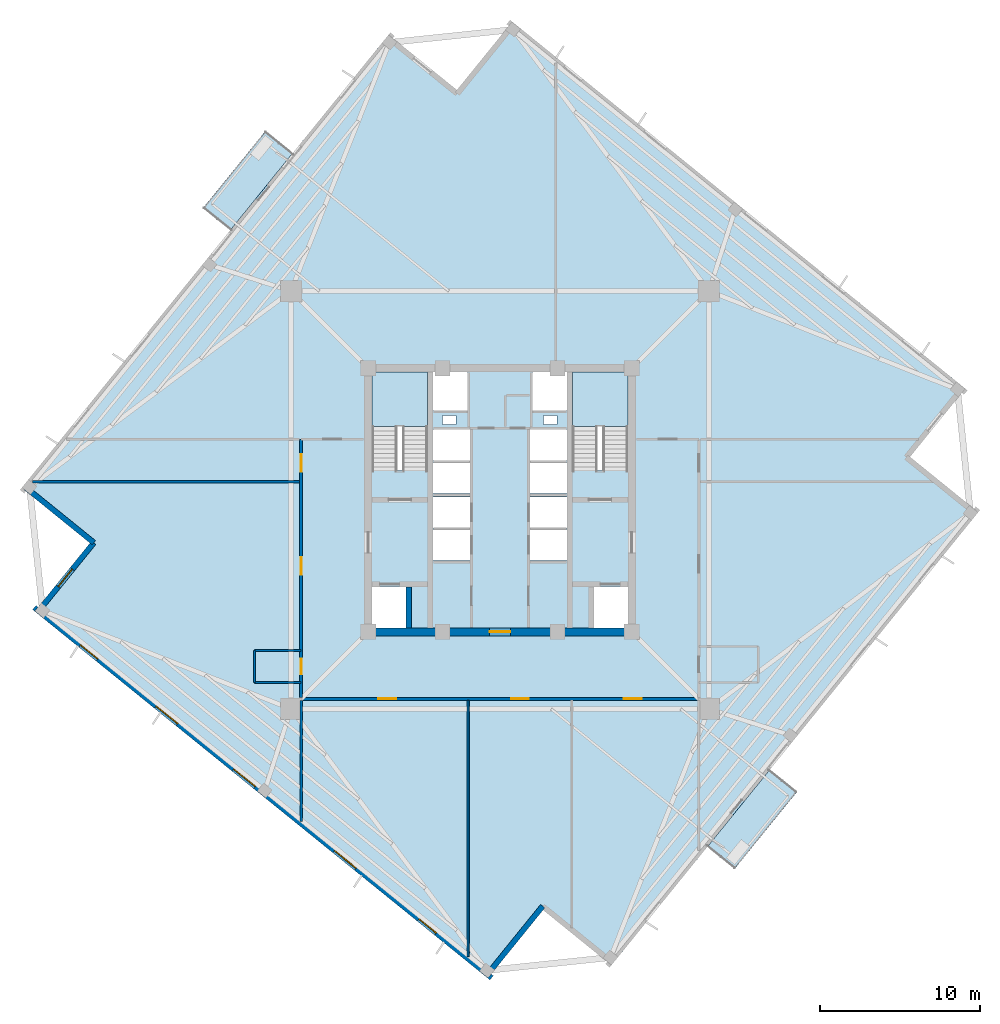
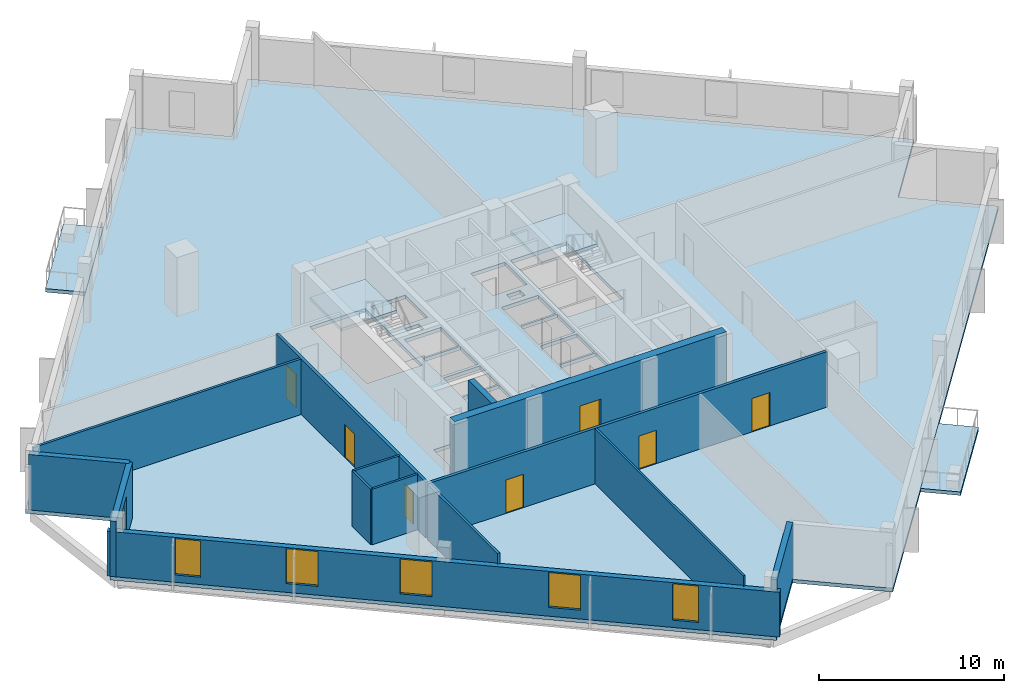
# One storey, part 2 of 9: 14 walls, 7 doors, 6 windows, 5 slabs, 13 openings, 2 elements without a shape of their own.
"""IFC4 building model written with IfcOpenShell, lengths in metres."""

from ifc_helpers import new_model, si_unit, direction, frame, frame_2d, origin, place, context, subcontext, project, spatial, polyline, rectangle, outline, extrude, source, transform, mapped, material, layer, layer_set, type_object, element, fill, aggregate, save


model = new_model("IFC4")

# Units and contexts
model_context = context("Model", 3, precision=1e-05, world=origin(), true_north=direction((0.0, 1.0)))
body_context = subcontext(model_context, "Body", "Model", "MODEL_VIEW")
ifc_project = project(units=[si_unit("LENGTHUNIT", "METRE"), si_unit("AREAUNIT", "SQUARE_METRE"), si_unit("VOLUMEUNIT", "CUBIC_METRE"), si_unit("PLANEANGLEUNIT", "RADIAN"), si_unit("MASSUNIT", "GRAM", prefix="KILO"), si_unit("THERMODYNAMICTEMPERATUREUNIT", "KELVIN")], contexts=[model_context])

# Site, building, storey
site_placement = place(None, origin())
site = spatial("IfcSite", under=ifc_project, at=site_placement, CompositionType="ELEMENT")
building_placement = place(site_placement, origin())
building = spatial("IfcBuilding", under=site, at=building_placement, Name="Kosmvard Interchange Tower", CompositionType="ELEMENT")
storey_placement = place(building_placement, frame((0.0, 0.0, 225.10009765625)))
storey = spatial("IfcBuildingStorey", under=building, at=storey_placement, Name="L54", CompositionType="ELEMENT", Elevation=225.10009765625)

# Slab
ifc_material_1 = material(Name="Concrete C50/60", Category="concrete")
ifc_layer_1 = layer(ifc_material_1, 0.239990234375, Name="Concrete C50/60")
ifc_layer_set_1 = layer_set([ifc_layer_1], Name="Concrete C50/60")
slab_type_1 = type_object("IfcSlabType", Name="High-Rise Suite Composite Slab 240 C50/60", PredefinedType="FLOOR", material=ifc_layer_set_1)
slab_1_placement = place(storey_placement, frame((0.0, 0.0, -0.239990234375)))
element("IfcSlab", 1, at=slab_1_placement, inside=storey, type_object=slab_type_1, Name="L54 Structural Floor Slab", PredefinedType="FLOOR", context=body_context, shape_type="SweptSolid", body=[
    extrude(outline(polyline([(6.97216796875, -29.12939453125), (29.9423828125, -0.763427734375), (25.66796875, 2.69775390625), (29.12939453125, 6.97216796875), (0.763427734375, 29.9423828125), (-2.69775390625, 25.66796875), (-6.97216796875, 29.12939453125), (-29.9423828125, 0.763427734375), (-25.66796875, -2.69775390625), (-29.12939453125, -6.97216796875), (-0.763427734375, -29.9423828125), (2.69775390625, -25.66796875), (6.97216796875, -29.12939453125)]), holes=[polyline([(-8.0, 1.8349609375), (-4.5400390625, 1.8349609375), (-4.5400390625, 8.0), (-8.0, 8.0), (-8.0, 1.8349609375)]), polyline([(4.5400390625, 1.8349609375), (8.0, 1.8349609375), (8.0, 8.0), (4.5400390625, 8.0), (4.5400390625, 1.8349609375)]), polyline([(-8.0, -8.0), (-5.800048828125, -8.0), (-5.800048828125, -5.39990234375), (-8.0, -5.39990234375), (-8.0, -8.0)]), polyline([(5.800048828125, -8.0), (8.0, -8.0), (8.0, -5.39990234375), (5.800048828125, -5.39990234375), (5.800048828125, -8.0)]), polyline([(-4.179931640625, -3.800048828125), (-1.8798828125, -3.800048828125), (-1.8798828125, -1.860107421875), (-4.179931640625, -1.860107421875), (-4.179931640625, -3.800048828125)]), polyline([(-4.179931640625, -1.739990234375), (-1.8798828125, -1.739990234375), (-1.8798828125, 0.199951171875), (-4.179931640625, 0.199951171875), (-4.179931640625, -1.739990234375)]), polyline([(1.8798828125, -3.800048828125), (4.179931640625, -3.800048828125), (4.179931640625, -1.860107421875), (1.8798828125, -1.860107421875), (1.8798828125, -3.800048828125)]), polyline([(1.8798828125, -1.739990234375), (4.179931640625, -1.739990234375), (4.179931640625, 0.199951171875), (1.8798828125, 0.199951171875), (1.8798828125, -1.739990234375)]), polyline([(-4.179931640625, 0.39990234375), (-1.8798828125, 0.39990234375), (-1.8798828125, 2.340087890625), (-4.179931640625, 2.340087890625), (-4.179931640625, 0.39990234375)]), polyline([(-4.179931640625, 2.4599609375), (-1.8798828125, 2.4599609375), (-1.8798828125, 4.39990234375), (-4.179931640625, 4.39990234375), (-4.179931640625, 2.4599609375)]), polyline([(1.8798828125, 0.39990234375), (4.179931640625, 0.39990234375), (4.179931640625, 2.340087890625), (1.8798828125, 2.340087890625), (1.8798828125, 0.39990234375)]), polyline([(1.8798828125, 2.4599609375), (4.179931640625, 2.4599609375), (4.179931640625, 4.39990234375), (1.8798828125, 4.39990234375), (1.8798828125, 2.4599609375)]), polyline([(-4.179931640625, 5.60009765625), (-2.0400390625, 5.60009765625), (-2.0400390625, 8.0), (-4.179931640625, 8.0), (-4.179931640625, 5.60009765625)]), polyline([(2.0400390625, 5.60009765625), (4.179931640625, 5.60009765625), (4.179931640625, 8.0), (2.0400390625, 8.0), (2.0400390625, 5.60009765625)]), polyline([(-3.614990234375, 4.739990234375), (-2.764892578125, 4.739990234375), (-2.764892578125, 5.2900390625), (-3.614990234375, 5.2900390625), (-3.614990234375, 4.739990234375)]), polyline([(2.715087890625, 4.739990234375), (3.56494140625, 4.739990234375), (3.56494140625, 5.2900390625), (2.715087890625, 5.2900390625), (2.715087890625, 4.739990234375)])]), origin(), (0.0, 0.0, 1.0), 0.239990234375),
])

# Stair, slab
stair_type = type_object("IfcStairType", Name="Dog-Leg Core Exit Stair H3900 C50/60", PredefinedType="HALF_TURN_STAIR", material=ifc_material_1)
stair_1_placement = place(storey_placement, origin())
stair_1 = element("IfcStair", 2, at=stair_1_placement, inside=storey, type_object=stair_type, Name="L54 Protected Exit Stair ST-1", PredefinedType="HALF_TURN_STAIR")
ifc_layer_2 = layer(ifc_material_1, 0.199951171875, Name="Concrete C50/60")
ifc_layer_set_2 = layer_set([ifc_layer_2], Name="Concrete C50/60")
slab_type_2 = type_object("IfcSlabType", Name="Stair Half-Landing Slab 200 C50/60", PredefinedType="LANDING", material=ifc_layer_set_2)
slab_2_placement = place(storey_placement, frame((0.0, 0.0, 1.75)))
slab_2 = element("IfcSlab", 3, at=slab_2_placement, type_object=slab_type_2, Name="ST-1 landing 1", PredefinedType="LANDING", context=body_context, shape_type="SweptSolid", body=[
    extrude(outline(polyline([(-4.5400390625, 4.60009765625), (-4.5400390625, 8.0), (-8.0, 8.0), (-8.0, 4.60009765625), (-4.5400390625, 4.60009765625)])), origin(), (0.0, 0.0, 1.0), 0.199951171875),
])
aggregate(stair_1, [slab_2])

stair_2_placement = place(storey_placement, origin())
stair_2 = element("IfcStair", 4, at=stair_2_placement, inside=storey, type_object=stair_type, Name="L54 Protected Exit Stair ST-2", PredefinedType="HALF_TURN_STAIR")
slab_3_placement = place(storey_placement, frame((0.0, 0.0, 1.75)))
slab_3 = element("IfcSlab", 5, at=slab_3_placement, type_object=slab_type_2, Name="ST-2 landing 1", PredefinedType="LANDING", context=body_context, shape_type="SweptSolid", body=[
    extrude(outline(polyline([(8.0, 4.60009765625), (8.0, 8.0), (4.5400390625, 8.0), (4.5400390625, 4.60009765625), (8.0, 4.60009765625)])), origin(), (0.0, 0.0, 1.0), 0.199951171875),
])
aggregate(stair_2, [slab_3])

# Slabs
ifc_layer_3 = layer(ifc_material_1, 0.22998046875, Name="Concrete C50/60")
ifc_layer_set_3 = layer_set([ifc_layer_3], Name="Concrete C50/60")
slab_type_3 = type_object("IfcSlabType", Name="Tree-Planter Cantilever Balcony Slab 230 C50/60", PredefinedType="FLOOR", material=ifc_layer_set_3)
slab_4_placement = place(storey_placement, frame((0.0, 0.0, -0.22998046875)))
element("IfcSlab", 6, at=slab_4_placement, inside=storey, type_object=slab_type_3, Name="L54 Outdoor Terrace Balcony Slab BAL-L54-N", PredefinedType="FLOOR", context=body_context, shape_type="SweptSolid", body=[
    extrude(outline(polyline([(-16.884033203125, 16.88916015625), (-12.982177734375, 21.70751953125), (-14.69189453125, 23.092041015625), (-18.59375, 18.273681640625), (-16.884033203125, 16.88916015625)])), origin(), (0.0, 0.0, 1.0), 0.22998046875),
])
slab_5_placement = place(storey_placement, frame((0.0, 0.0, -0.22998046875)))
element("IfcSlab", 7, at=slab_5_placement, inside=storey, type_object=slab_type_3, Name="L54 Outdoor Terrace Balcony Slab BAL-L54-S", PredefinedType="FLOOR", context=body_context, shape_type="SweptSolid", body=[
    extrude(outline(polyline([(14.69189453125, -23.092041015625), (18.59375, -18.273681640625), (16.884033203125, -16.88916015625), (12.982177734375, -21.70751953125), (14.69189453125, -23.092041015625)])), origin(), (0.0, 0.0, 1.0), 0.22998046875),
])

# Walls
ifc_material_2 = material(Name="Acoustic gypsum partition system")
ifc_layer_4 = layer(ifc_material_2, 0.14990234375, Name="Acoustic gypsum partition system")
ifc_layer_set_4 = layer_set([ifc_layer_4], Name="Acoustic gypsum partition system")
wall_type_1 = type_object("IfcWallType", Name="Acoustic Suite & Meeting Partition 150", PredefinedType="PARTITIONING", material=ifc_layer_set_4)
wall_1_placement = place(storey_placement, frame((-29.275390625, 1.14990234375, 0.0), z_axis=(0.0, 0.0, 1.0), x_axis=(1.0, 0.0, 0.0)))
element("IfcWall", 8, at=wall_1_placement, inside=storey, type_object=wall_type_1, Name="L54 Room Partition 02.1", PredefinedType="PARTITIONING", context=body_context, shape_type="SweptSolid", body=[
    extrude(rectangle(XDim=16.73046875, YDim=0.14990234375, at=frame_2d((8.365234375, 0.0))), origin(), (0.0, 0.0, 1.0), 3.659912109375),
])
wall_2_placement = place(storey_placement, frame((-12.449951171875, -20.124755859375, 0.0), z_axis=(0.0, 0.0, 1.0), x_axis=(0.0, 1.0, 0.0)))
element("IfcWall", 9, at=wall_2_placement, inside=storey, type_object=wall_type_1, Name="L54 Room Partition 06.1", PredefinedType="PARTITIONING", context=body_context, shape_type="SweptSolid", body=[
    extrude(rectangle(XDim=7.579833984375, YDim=0.14990234375, at=frame_2d((3.7900390625, 0.0))), origin(), (0.0, 0.0, 1.0), 3.659912109375),
])

# Wall, openings, doors
ifc_material_3 = material(Name="Fire-rated gypsum partition system")
ifc_layer_5 = layer(ifc_material_3, 0.179931640625, Name="Fire-rated gypsum partition system")
ifc_layer_set_5 = layer_set([ifc_layer_5], Name="Fire-rated gypsum partition system")
wall_type_2 = type_object("IfcWallType", Name="Corridor & Hotel Compartment Partition 180", PredefinedType="PARTITIONING", material=ifc_layer_set_5)
wall_3_placement = place(storey_placement, frame((-12.449951171875, -12.449951171875, 0.0), z_axis=(0.0, 0.0, 1.0), x_axis=(1.0, 0.0, 0.0)))
wall_3 = element("IfcWall", 10, at=wall_3_placement, inside=storey, type_object=wall_type_2, Name="L54 Corridor Wall CS", PredefinedType="PARTITIONING", context=body_context, shape_type="SweptSolid", body=[
    extrude(rectangle(XDim=24.89990234375, YDim=0.179931640625, at=frame_2d((12.449951171875, 0.0))), origin(), (0.0, 0.0, 1.0), 3.659912109375),
])
opening_1_placement = place(wall_3_placement, frame((4.83935546875, 0.0, 0.0)))
opening_1 = element("IfcOpeningElement", 11, at=opening_1_placement, cuts=wall_3, Name="Opening L54-D08", PredefinedType="OPENING", context=body_context, shape_type="SweptSolid", body=[
    extrude(rectangle(XDim=1.10009765625, YDim=2.199951171875, at=frame_2d((0.550048828125, 1.10009765625))), frame((0.0, 0.10009765625, 0.0), z_axis=(0.0, -1.0, 0.0), x_axis=(1.0, 0.0, 0.0)), (0.0, 0.0, 1.0), 0.199951171875),
])
opening_2_placement = place(wall_3_placement, frame((13.14990234375, 0.0, 0.0)))
opening_2 = element("IfcOpeningElement", 12, at=opening_2_placement, cuts=wall_3, Name="Opening L54-D09", PredefinedType="OPENING", context=body_context, shape_type="SweptSolid", body=[
    extrude(rectangle(XDim=1.10009765625, YDim=2.199951171875, at=frame_2d((0.550048828125, 1.10009765625))), frame((0.0, 0.10009765625, 0.0), z_axis=(0.0, -1.0, 0.0), x_axis=(1.0, 0.0, 0.0)), (0.0, 0.0, 1.0), 0.199951171875),
])
opening_3_placement = place(wall_3_placement, frame((20.21044921875, 0.0, 0.0)))
opening_3 = element("IfcOpeningElement", 13, at=opening_3_placement, cuts=wall_3, Name="Opening L54-D10", PredefinedType="OPENING", context=body_context, shape_type="SweptSolid", body=[
    extrude(rectangle(XDim=1.10009765625, YDim=2.199951171875, at=frame_2d((0.550048828125, 1.10009765625))), frame((0.0, 0.10009765625, 0.0), z_axis=(0.0, -1.0, 0.0), x_axis=(1.0, 0.0, 0.0)), (0.0, 0.0, 1.0), 0.199951171875),
])
ifc_material_4 = material(Name="Engineered oak fire-rated timber", Category="wood")
door_type_1 = type_object("IfcDoorType", Name="Office Suite Entrance Door 1100x2200 FD30S", OperationType="NOTDEFINED", PredefinedType="DOOR", material=ifc_material_4)
shared_shape_1 = source(origin(), body_context, "Body", "SweptSolid", [
    extrude(rectangle(XDim=1.10009765625, YDim=2.199951171875, at=frame_2d((0.550048828125, 1.10009765625))), frame((0.0, 0.02490234375, 0.0), z_axis=(0.0, -1.0, 0.0), x_axis=(1.0, 0.0, 0.0)), (0.0, 0.0, 1.0), 0.050048828125),
])
door_1_placement = place(opening_1_placement, frame((1.10009765625, 0.0, 0.0), z_axis=(0.0, 0.0, 1.0), x_axis=(-1.0, 0.0, 0.0)))
door_1 = element("IfcDoor", 14, at=door_1_placement, inside=storey, type_object=door_type_1, Name="L54 Mediation Chamber 3 Door", OperationType="SINGLE_SWING_RIGHT", OverallHeight=2.199951171875, OverallWidth=1.10009765625, PredefinedType="DOOR", context=body_context, shape_type="MappedRepresentation", body=[
    mapped(shared_shape_1, transform((0.0, 0.0, 0.0), scale=1.0)),
])
fill(opening_1, door_1)
door_2_placement = place(opening_2_placement, frame((1.10009765625, 0.0, 0.0), z_axis=(0.0, 0.0, 1.0), x_axis=(-1.0, 0.0, 0.0)))
door_2 = element("IfcDoor", 15, at=door_2_placement, inside=storey, type_object=door_type_1, Name="L54 Arbitration Chamber 4 Door", OperationType="SINGLE_SWING_LEFT", OverallHeight=2.199951171875, OverallWidth=1.10009765625, PredefinedType="DOOR", context=body_context, shape_type="MappedRepresentation", body=[
    mapped(shared_shape_1, transform((0.0, 0.0, 0.0), scale=1.0)),
])
fill(opening_2, door_2)
door_3_placement = place(opening_3_placement, frame((1.10009765625, 0.0, 0.0), z_axis=(0.0, 0.0, 1.0), x_axis=(-1.0, 0.0, 0.0)))
door_3 = element("IfcDoor", 16, at=door_3_placement, inside=storey, type_object=door_type_1, Name="L54 Chambers Pantry Door", OperationType="SINGLE_SWING_RIGHT", OverallHeight=2.199951171875, OverallWidth=1.10009765625, PredefinedType="DOOR", context=body_context, shape_type="MappedRepresentation", body=[
    mapped(shared_shape_1, transform((0.0, 0.0, 0.0), scale=1.0)),
])
fill(opening_3, door_3)

wall_4_placement = place(storey_placement, frame((-12.449951171875, -12.35009765625, 0.0), z_axis=(0.0, 0.0, 1.0), x_axis=(0.0, 1.0, 0.0)))
wall_4 = element("IfcWall", 17, at=wall_4_placement, inside=storey, type_object=wall_type_2, Name="L54 Corridor Wall CW", PredefinedType="PARTITIONING", context=body_context, shape_type="SweptSolid", body=[
    extrude(rectangle(XDim=16.150146484375, YDim=0.179931640625, at=frame_2d((8.0751953125, 0.0))), origin(), (0.0, 0.0, 1.0), 3.659912109375),
])
opening_4_placement = place(wall_4_placement, frame((1.455078125, 0.0, 0.0)))
opening_4 = element("IfcOpeningElement", 18, at=opening_4_placement, cuts=wall_4, Name="Opening L54-D01", PredefinedType="OPENING", context=body_context, shape_type="SweptSolid", body=[
    extrude(rectangle(XDim=0.949951171875, YDim=2.10009765625, at=frame_2d((0.47509765625, 1.050048828125))), frame((0.0, 0.10009765625, 0.0), z_axis=(0.0, -1.0, 0.0), x_axis=(1.0, 0.0, 0.0)), (0.0, 0.0, 1.0), 0.199951171875),
])
opening_5_placement = place(wall_4_placement, frame((14.110595703125, 0.0, 0.0)))
opening_5 = element("IfcOpeningElement", 19, at=opening_5_placement, cuts=wall_4, Name="Opening L54-D03", PredefinedType="OPENING", context=body_context, shape_type="SweptSolid", body=[
    extrude(rectangle(XDim=1.10009765625, YDim=2.199951171875, at=frame_2d((0.550048828125, 1.10009765625))), frame((0.0, 0.10009765625, 0.0), z_axis=(0.0, -1.0, 0.0), x_axis=(1.0, 0.0, 0.0)), (0.0, 0.0, 1.0), 0.199951171875),
])
opening_6_placement = place(wall_4_placement, frame((7.658935546875, 0.0, 0.0)))
opening_6 = element("IfcOpeningElement", 20, at=opening_6_placement, cuts=wall_4, Name="Opening L54-D07", PredefinedType="OPENING", context=body_context, shape_type="SweptSolid", body=[
    extrude(rectangle(XDim=1.10009765625, YDim=2.199951171875, at=frame_2d((0.550048828125, 1.10009765625))), frame((0.0, 0.10009765625, 0.0), z_axis=(0.0, -1.0, 0.0), x_axis=(1.0, 0.0, 0.0)), (0.0, 0.0, 1.0), 0.199951171875),
])
ifc_material_5 = material(Name="Laminated moisture-resistant timber", Category="wood")
door_type_2 = type_object("IfcDoorType", Name="Accessible Washroom Door 950x2100", OperationType="NOTDEFINED", PredefinedType="DOOR", material=ifc_material_5)
shared_shape_2 = source(origin(), body_context, "Body", "SweptSolid", [
    extrude(rectangle(XDim=0.949951171875, YDim=2.10009765625, at=frame_2d((0.47509765625, 1.050048828125))), frame((0.0, 0.02490234375, 0.0), z_axis=(0.0, -1.0, 0.0), x_axis=(1.0, 0.0, 0.0)), (0.0, 0.0, 1.0), 0.050048828125),
])
door_4_placement = place(opening_4_placement, origin())
door_4 = element("IfcDoor", 21, at=door_4_placement, inside=storey, type_object=door_type_2, Name="L54 Accessible Toilet Door", OperationType="SINGLE_SWING_LEFT", OverallHeight=2.10009765625, OverallWidth=0.949951171875, PredefinedType="DOOR", context=body_context, shape_type="MappedRepresentation", body=[
    mapped(shared_shape_2, transform((0.0, 0.0, 0.0), scale=1.0)),
])
fill(opening_4, door_4)
door_5_placement = place(opening_5_placement, origin())
door_5 = element("IfcDoor", 22, at=door_5_placement, inside=storey, type_object=door_type_1, Name="L54 West Caucus Chamber 1 Door", OperationType="SINGLE_SWING_LEFT", OverallHeight=2.199951171875, OverallWidth=1.10009765625, PredefinedType="DOOR", context=body_context, shape_type="MappedRepresentation", body=[
    mapped(shared_shape_1, transform((0.0, 0.0, 0.0), scale=1.0)),
])
fill(opening_5, door_5)
door_6_placement = place(opening_6_placement, origin())
door_6 = element("IfcDoor", 23, at=door_6_placement, inside=storey, type_object=door_type_1, Name="L54 South-West Open Legal Studio Door", OperationType="SINGLE_SWING_LEFT", OverallHeight=2.199951171875, OverallWidth=1.10009765625, PredefinedType="DOOR", context=body_context, shape_type="MappedRepresentation", body=[
    mapped(shared_shape_1, transform((0.0, 0.0, 0.0), scale=1.0)),
])
fill(opening_6, door_6)

# Wall
ifc_material_6 = material(Name="Precast concrete C45/55", Category="concrete")
ifc_layer_6 = layer(ifc_material_6, 0.340087890625, Name="Precast concrete C45/55")
ifc_layer_set_6 = layer_set([ifc_layer_6], Name="Precast concrete C45/55")
wall_type_3 = type_object("IfcWallType", Name="Mid Tower Precast Pier Wall 340 C45/55", PredefinedType="STANDARD", material=ifc_layer_set_6)
wall_5_placement = place(storey_placement, frame((-29.703125, 0.78857421875, 0.0), z_axis=(0.0, 0.0, 1.0), x_axis=(0.77714355312, -0.629323365087, 0.0)))
element("IfcWall", 24, at=wall_5_placement, inside=storey, type_object=wall_type_3, Name="L54 Precast Facade Wall N-NW1", PredefinedType="STANDARD", context=body_context, shape_type="SweptSolid", body=[
    extrude(rectangle(XDim=5.499755859375, YDim=0.340087890625, at=frame_2d((2.75, 0.0))), origin(), (0.0, 0.0, 1.0), 3.659912109375),
])

# Wall, opening, window
wall_6_placement = place(storey_placement, frame((-25.428955078125, -2.672607421875, 0.0), z_axis=(0.0, 0.0, 1.0), x_axis=(-0.629299794138, -0.777162640055, 0.0)))
wall_6 = element("IfcWall", 25, at=wall_6_placement, inside=storey, type_object=wall_type_3, Name="L54 Precast Facade Wall N-NW2", PredefinedType="STANDARD", context=body_context, shape_type="SweptSolid", body=[
    extrude(rectangle(XDim=5.669921875, YDim=0.340087890625, at=frame_2d((2.8349609375, 0.0))), origin(), (0.0, 0.0, 1.0), 3.659912109375),
])
opening_7_placement = place(wall_6_placement, frame((2.135009765625, 0.0, 0.47998046875)))
opening_7 = element("IfcOpeningElement", 26, at=opening_7_placement, cuts=wall_6, Name="Opening L54-W22", PredefinedType="OPENING", context=body_context, shape_type="SweptSolid", body=[
    extrude(rectangle(XDim=1.39990234375, YDim=2.39990234375, at=frame_2d((0.699951171875, 1.199951171875))), frame((0.0, 0.18017578125, 0.0), z_axis=(0.0, -1.0, 0.0), x_axis=(1.0, 0.0, 0.0)), (0.0, 0.0, 1.0), 0.360107421875),
])
ifc_material_7 = material(Name="Low-E solar-control double glazing", Category="glass")
window_type_1 = type_object("IfcWindowType", Name="Notched Corner Feature Window 1400x2400", PartitioningType="SINGLE_PANEL", PredefinedType="WINDOW", material=ifc_material_7)
shared_shape_3 = source(origin(), body_context, "Body", "SweptSolid", [
    extrude(rectangle(XDim=1.39990234375, YDim=2.39990234375, at=frame_2d((0.699951171875, 1.199951171875))), frame((0.0, 0.030029296875, 0.0), z_axis=(0.0, -1.0, 0.0), x_axis=(1.0, 0.0, 0.0)), (0.0, 0.0, 1.0), 0.06005859375),
])
window_1_placement = place(opening_7_placement, origin())
window_1 = element("IfcWindow", 27, at=window_1_placement, inside=storey, type_object=window_type_1, Name="L54 Corner Notch Window 22", OverallHeight=2.39990234375, OverallWidth=1.39990234375, PartitioningType="SINGLE_PANEL", PredefinedType="WINDOW", context=body_context, shape_type="MappedRepresentation", body=[
    mapped(shared_shape_3, transform((0.0, 0.0, 0.0), scale=1.0)),
])
fill(opening_7, window_1)

# Wall, openings, windows
wall_7_placement = place(storey_placement, frame((-29.154296875, -6.73291015625, 0.0), z_axis=(0.0, 0.0, 1.0), x_axis=(0.77714192302, -0.629325378072, 0.0)))
wall_7 = element("IfcWall", 28, at=wall_7_placement, inside=storey, type_object=wall_type_3, Name="L54 Precast Facade Wall F-W", PredefinedType="STANDARD", context=body_context, shape_type="SweptSolid", body=[
    extrude(rectangle(XDim=36.840087890625, YDim=0.340087890625, at=frame_2d((18.419921875, 0.0))), origin(), (0.0, 0.0, 1.0), 2.9599609375),
])
opening_8_placement = place(wall_7_placement, frame((3.720703125, 0.0, 0.47998046875)))
opening_8 = element("IfcOpeningElement", 29, at=opening_8_placement, cuts=wall_7, Name="Opening L54-W15", PredefinedType="OPENING", context=body_context, shape_type="SweptSolid", body=[
    extrude(rectangle(XDim=1.39990234375, YDim=2.39990234375, at=frame_2d((0.699951171875, 1.199951171875))), frame((0.0, 0.18017578125, 0.0), z_axis=(0.0, -1.0, 0.0), x_axis=(1.0, 0.0, 0.0)), (0.0, 0.0, 1.0), 0.360107421875),
])
opening_9_placement = place(wall_7_placement, frame((9.80859375, 0.0, 0.580078125)))
opening_9 = element("IfcOpeningElement", 30, at=opening_9_placement, cuts=wall_7, Name="Opening L54-W16", PredefinedType="OPENING", context=body_context, shape_type="SweptSolid", body=[
    extrude(rectangle(XDim=1.75, YDim=2.300048828125, at=frame_2d((0.875, 1.14990234375))), frame((0.0, 0.18017578125, 0.0), z_axis=(0.0, -1.0, 0.0), x_axis=(1.0, 0.0, 0.0)), (0.0, 0.0, 1.0), 0.360107421875),
])
opening_10_placement = place(wall_7_placement, frame((16.05810546875, 0.0, 0.580078125)))
opening_10 = element("IfcOpeningElement", 31, at=opening_10_placement, cuts=wall_7, Name="Opening L54-W17", PredefinedType="OPENING", context=body_context, shape_type="SweptSolid", body=[
    extrude(rectangle(XDim=1.75, YDim=2.300048828125, at=frame_2d((0.875, 1.14990234375))), frame((0.0, 0.18017578125, 0.0), z_axis=(0.0, -1.0, 0.0), x_axis=(1.0, 0.0, 0.0)), (0.0, 0.0, 1.0), 0.360107421875),
])
opening_11_placement = place(wall_7_placement, frame((24.17626953125, 0.0, 0.580078125)))
opening_11 = element("IfcOpeningElement", 32, at=opening_11_placement, cuts=wall_7, Name="Opening L54-W18", PredefinedType="OPENING", context=body_context, shape_type="SweptSolid", body=[
    extrude(rectangle(XDim=1.75, YDim=2.300048828125, at=frame_2d((0.875, 1.14990234375))), frame((0.0, 0.18017578125, 0.0), z_axis=(0.0, -1.0, 0.0), x_axis=(1.0, 0.0, 0.0)), (0.0, 0.0, 1.0), 0.360107421875),
])
opening_12_placement = place(wall_7_placement, frame((30.982421875, 0.0, 0.47998046875)))
opening_12 = element("IfcOpeningElement", 33, at=opening_12_placement, cuts=wall_7, Name="Opening L54-W19", PredefinedType="OPENING", context=body_context, shape_type="SweptSolid", body=[
    extrude(rectangle(XDim=1.39990234375, YDim=2.39990234375, at=frame_2d((0.699951171875, 1.199951171875))), frame((0.0, 0.18017578125, 0.0), z_axis=(0.0, -1.0, 0.0), x_axis=(1.0, 0.0, 0.0)), (0.0, 0.0, 1.0), 0.360107421875),
])
window_2_placement = place(opening_8_placement, origin())
window_2 = element("IfcWindow", 34, at=window_2_placement, inside=storey, type_object=window_type_1, Name="L54 Facade Punched Window 15", OverallHeight=2.39990234375, OverallWidth=1.39990234375, PartitioningType="SINGLE_PANEL", PredefinedType="WINDOW", context=body_context, shape_type="MappedRepresentation", body=[
    mapped(shared_shape_3, transform((0.0, 0.0, 0.0), scale=1.0)),
])
fill(opening_8, window_2)
window_3_placement = place(opening_12_placement, origin())
window_3 = element("IfcWindow", 35, at=window_3_placement, inside=storey, type_object=window_type_1, Name="L54 Facade Punched Window 19", OverallHeight=2.39990234375, OverallWidth=1.39990234375, PartitioningType="SINGLE_PANEL", PredefinedType="WINDOW", context=body_context, shape_type="MappedRepresentation", body=[
    mapped(shared_shape_3, transform((0.0, 0.0, 0.0), scale=1.0)),
])
fill(opening_12, window_3)
window_type_2 = type_object("IfcWindowType", Name="Zone 4 Suite Punched Window 1750x2300", PartitioningType="SINGLE_PANEL", PredefinedType="WINDOW", material=ifc_material_7)
shared_shape_4 = source(origin(), body_context, "Body", "SweptSolid", [
    extrude(rectangle(XDim=1.75, YDim=2.300048828125, at=frame_2d((0.875, 1.14990234375))), frame((0.0, 0.030029296875, 0.0), z_axis=(0.0, -1.0, 0.0), x_axis=(1.0, 0.0, 0.0)), (0.0, 0.0, 1.0), 0.06005859375),
])
window_4_placement = place(opening_9_placement, origin())
window_4 = element("IfcWindow", 36, at=window_4_placement, inside=storey, type_object=window_type_2, Name="L54 Facade Punched Window 16", OverallHeight=2.300048828125, OverallWidth=1.75, PartitioningType="SINGLE_PANEL", PredefinedType="WINDOW", context=body_context, shape_type="MappedRepresentation", body=[
    mapped(shared_shape_4, transform((0.0, 0.0, 0.0), scale=1.0)),
])
fill(opening_9, window_4)
window_5_placement = place(opening_10_placement, origin())
window_5 = element("IfcWindow", 37, at=window_5_placement, inside=storey, type_object=window_type_2, Name="L54 Facade Punched Window 17", OverallHeight=2.300048828125, OverallWidth=1.75, PartitioningType="SINGLE_PANEL", PredefinedType="WINDOW", context=body_context, shape_type="MappedRepresentation", body=[
    mapped(shared_shape_4, transform((0.0, 0.0, 0.0), scale=1.0)),
])
fill(opening_10, window_5)
window_6_placement = place(opening_11_placement, origin())
window_6 = element("IfcWindow", 38, at=window_6_placement, inside=storey, type_object=window_type_2, Name="L54 Facade Punched Window 18", OverallHeight=2.300048828125, OverallWidth=1.75, PartitioningType="SINGLE_PANEL", PredefinedType="WINDOW", context=body_context, shape_type="MappedRepresentation", body=[
    mapped(shared_shape_4, transform((0.0, 0.0, 0.0), scale=1.0)),
])
fill(opening_11, window_6)

# Walls
wall_8_placement = place(storey_placement, frame((-0.78857421875, -29.703125, 0.0), z_axis=(0.0, 0.0, 1.0), x_axis=(0.629323365087, 0.77714355312, 0.0)))
element("IfcWall", 39, at=wall_8_placement, inside=storey, type_object=wall_type_3, Name="L54 Precast Facade Wall N-SW1", PredefinedType="STANDARD", context=body_context, shape_type="SweptSolid", body=[
    extrude(rectangle(XDim=5.499755859375, YDim=0.340087890625, at=frame_2d((2.75, 0.0))), origin(), (0.0, 0.0, 1.0), 3.659912109375),
])
ifc_material_8 = material(Name="Gypsum board partition system")
ifc_layer_7 = layer(ifc_material_8, 0.1201171875, Name="Gypsum board partition system")
ifc_layer_set_7 = layer_set([ifc_layer_7], Name="Gypsum board partition system")
wall_type_4 = type_object("IfcWallType", Name="Office Cellular Partition 120", PredefinedType="PARTITIONING", material=ifc_layer_set_7)
wall_9_placement = place(storey_placement, frame((-2.0, -28.587158203125, 0.0), z_axis=(0.0, 0.0, 1.0), x_axis=(0.0, 1.0, 0.0)))
element("IfcWall", 40, at=wall_9_placement, inside=storey, type_object=wall_type_4, Name="L54 Room Partition 07.1", PredefinedType="PARTITIONING", context=body_context, shape_type="SweptSolid", body=[
    extrude(rectangle(XDim=16.042236328125, YDim=0.1201171875, at=frame_2d((8.02099609375, 0.0))), origin(), (0.0, 0.0, 1.0), 3.659912109375),
])
ifc_material_9 = material(Name="Concrete C60/75", Category="concrete")
ifc_layer_8 = layer(ifc_material_9, 0.360107421875, Name="Concrete C60/75")
ifc_layer_set_8 = layer_set([ifc_layer_8], Name="Concrete C60/75")
wall_type_5 = type_object("IfcWallType", Name="Stair & Lift Shaft Shear Wall 360 C60/75", PredefinedType="SHEAR", material=ifc_layer_set_8)
wall_10_placement = place(storey_placement, frame((-5.7099609375, -8.0, 0.0), z_axis=(0.0, 0.0, 1.0), x_axis=(0.0, 1.0, 0.0)))
element("IfcWall", 41, at=wall_10_placement, inside=storey, type_object=wall_type_5, Name="L54 Shaft Shear Wall SW-SM1", PredefinedType="SHEAR", context=body_context, shape_type="SweptSolid", body=[
    extrude(rectangle(XDim=2.5400390625, YDim=0.360107421875, at=frame_2d((1.27001953125, 0.0))), origin(), (0.0, 0.0, 1.0), 3.89990234375),
])

# Wall, opening, door
ifc_layer_9 = layer(ifc_material_9, 0.5, Name="Concrete C60/75")
ifc_layer_set_9 = layer_set([ifc_layer_9], Name="Concrete C60/75")
wall_type_6 = type_object("IfcWallType", Name="Upper Core Shear Wall 500 C60/75", PredefinedType="SHEAR", material=ifc_layer_set_9)
wall_11_placement = place(storey_placement, frame((-8.5, -8.25, 0.0), z_axis=(0.0, 0.0, 1.0), x_axis=(1.0, 0.0, 0.0)))
wall_11 = element("IfcWall", 42, at=wall_11_placement, inside=storey, type_object=wall_type_6, Name="L54 Core Shear Wall CW-S", PredefinedType="SHEAR", context=body_context, shape_type="SweptSolid", body=[
    extrude(rectangle(XDim=17.0, YDim=0.5, at=frame_2d((8.5, 0.0))), origin(), (0.0, 0.0, 1.0), 3.89990234375),
])
opening_13_placement = place(wall_11_placement, frame((7.85009765625, 0.0, 0.0)))
opening_13 = element("IfcOpeningElement", 43, at=opening_13_placement, cuts=wall_11, Name="Opening L54-LD0", PredefinedType="OPENING", context=body_context, shape_type="SweptSolid", body=[
    extrude(rectangle(XDim=1.300048828125, YDim=2.199951171875, at=frame_2d((0.64990234375, 1.10009765625))), frame((0.0, 0.260009765625, 0.0), z_axis=(0.0, -1.0, 0.0), x_axis=(1.0, 0.0, 0.0)), (0.0, 0.0, 1.0), 0.52001953125),
])
ifc_material_10 = material(Name="Painted fire-rated steel leaf", Category="steel")
door_type_3 = type_object("IfcDoorType", Name="Firefighting Lobby Door 1300x2200 EI60", OperationType="NOTDEFINED", PredefinedType="DOOR", material=ifc_material_10)
shared_shape_5 = source(origin(), body_context, "Body", "SweptSolid", [
    extrude(rectangle(XDim=1.300048828125, YDim=2.199951171875, at=frame_2d((0.64990234375, 1.10009765625))), frame((0.0, 0.02490234375, 0.0), z_axis=(0.0, -1.0, 0.0), x_axis=(1.0, 0.0, 0.0)), (0.0, 0.0, 1.0), 0.050048828125),
])
door_7_placement = place(opening_13_placement, frame((1.300048828125, 0.0, 0.0), z_axis=(0.0, 0.0, 1.0), x_axis=(-1.0, 0.0, 0.0)))
door_7 = element("IfcDoor", 44, at=door_7_placement, inside=storey, type_object=door_type_3, Name="L54 Passenger Lift Lobby South Door", OperationType="SINGLE_SWING_RIGHT", OverallHeight=2.199951171875, OverallWidth=1.300048828125, PredefinedType="DOOR", context=body_context, shape_type="MappedRepresentation", body=[
    mapped(shared_shape_5, transform((0.0, 0.0, 0.0), scale=1.0)),
])
fill(opening_13, door_7)

# Walls
ifc_material_11 = material(Name="Moisture-resistant gypsum partition")
ifc_layer_10 = layer(ifc_material_11, 0.135009765625, Name="Moisture-resistant gypsum partition")
ifc_layer_set_10 = layer_set([ifc_layer_10], Name="Moisture-resistant gypsum partition")
wall_type_7 = type_object("IfcWallType", Name="Wet Room Moisture-Resistant Partition 135", PredefinedType="PARTITIONING", material=ifc_layer_set_10)
for number, where, z_axis, x_axis, name in (
    (45, (-15.3701171875, -11.419921875, 0.0), (0.0, 0.0, 1.0), (1.0, 0.0, 0.0), "L54 Washroom Partition AWC1-S"),
    (46, (-15.3701171875, -9.419921875, 0.0), (0.0, 0.0, 1.0), (1.0, 0.0, 0.0), "L54 Washroom Partition AWC1-N"),
):
    element("IfcWall", number, at=place(storey_placement, frame(where, z_axis=z_axis, x_axis=x_axis)), inside=storey, type_object=wall_type_7, Name=name, PredefinedType="PARTITIONING", context=body_context, shape_type="SweptSolid", body=[
        extrude(rectangle(XDim=2.900146484375, YDim=0.135009765625, at=frame_2d((1.4501953125, 0.0))), origin(), (0.0, 0.0, 1.0), 3.659912109375),
    ])
wall_12_placement = place(storey_placement, frame((-15.3701171875, -11.419921875, 0.0), z_axis=(0.0, 0.0, 1.0), x_axis=(0.0, 1.0, 0.0)))
element("IfcWall", 47, at=wall_12_placement, inside=storey, type_object=wall_type_7, Name="L54 Washroom Partition AWC1-W", PredefinedType="PARTITIONING", context=body_context, shape_type="SweptSolid", body=[
    extrude(rectangle(XDim=2.0, YDim=0.135009765625, at=frame_2d((1.0, 0.0))), origin(), (0.0, 0.0, 1.0), 3.659912109375),
])

save(model, "model.ifc")
